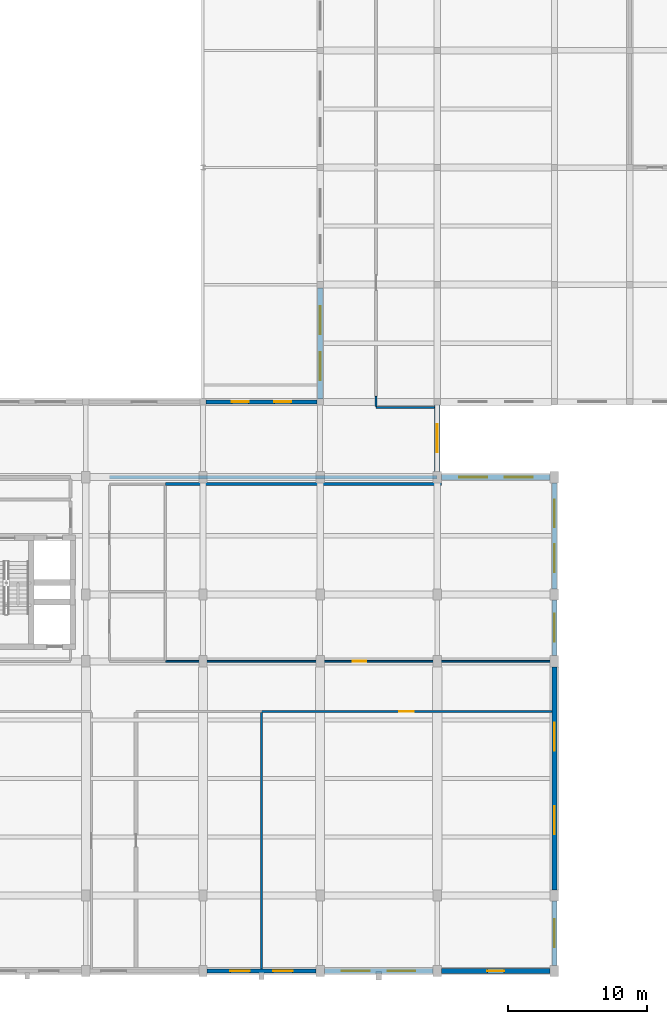
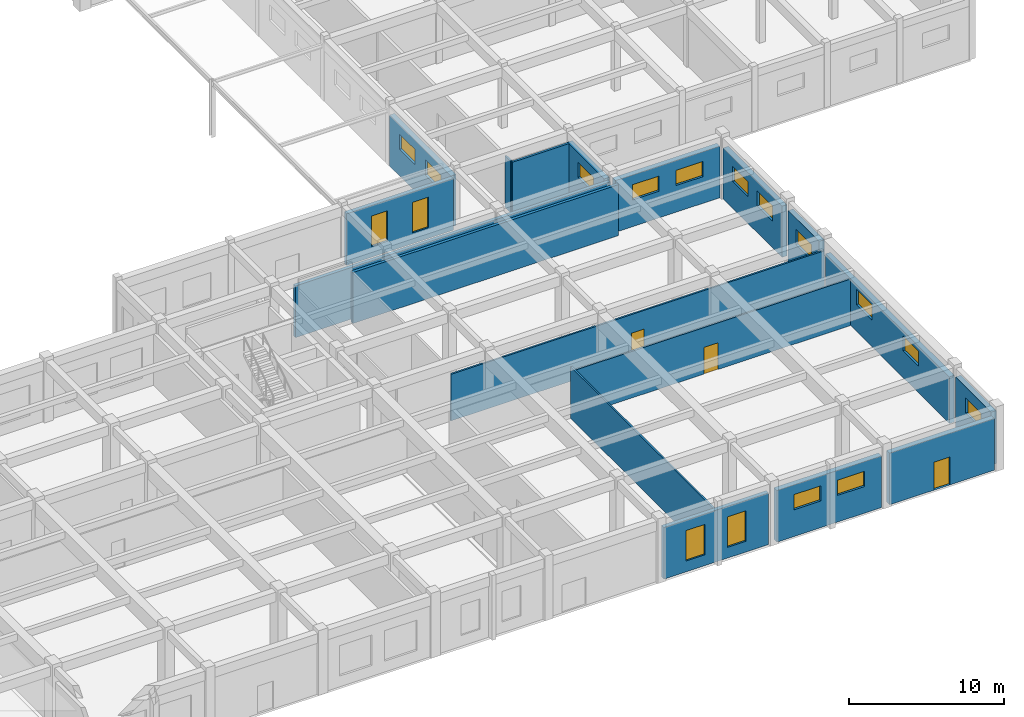
# One storey, part 65 of 80: 18 walls, 17 windows, 3 doors, 20 openings.
"""IFC4 building model written with IfcOpenShell, lengths in metres."""

from ifc_helpers import new_model, si_unit, direction, frame, frame_2d, origin, place, context, subcontext, project, spatial, rectangle, extrude, material, layer, layer_set, type_object, element, fill, save


model = new_model("IFC4")

# Units and contexts
model_context = context("Model", 3, precision=1e-05, world=origin(), true_north=direction((0.0, 1.0)))
body_context = subcontext(model_context, "Body", "Model", "MODEL_VIEW")
ifc_project = project(units=[si_unit("LENGTHUNIT", "METRE"), si_unit("AREAUNIT", "SQUARE_METRE"), si_unit("VOLUMEUNIT", "CUBIC_METRE"), si_unit("PLANEANGLEUNIT", "RADIAN"), si_unit("MASSUNIT", "GRAM", prefix="KILO")], contexts=[model_context])

# Site, building, storey
site_placement = place(None, origin())
site = spatial("IfcSite", under=ifc_project, at=site_placement, CompositionType="ELEMENT")
building_placement = place(site_placement, origin())
building = spatial("IfcBuilding", under=site, at=building_placement, Name="Krzemoval Escarpment Law Courts", CompositionType="ELEMENT")
storey_placement = place(building_placement, origin())
storey = spatial("IfcBuildingStorey", under=building, at=storey_placement, Name="L00", CompositionType="ELEMENT", Elevation=0.0)

# Wall, openings, windows
ifc_material_1 = material(Name="Precast concrete C40/50", Category="concrete")
ifc_layer_1 = layer(ifc_material_1, 0.300048828125)
ifc_layer_set_1 = layer_set([ifc_layer_1], Name="Precast concrete C40/50")
wall_type_1 = type_object("IfcWallType", Name="WL-EXT-300", PredefinedType="SOLIDWALL", material=ifc_layer_set_1)
wall_1_placement = place(storey_placement, frame((134.10009765625, 0.0, 0.0), z_axis=(0.0, 0.0, 1.0), x_axis=(-1.0, 0.0, 0.0)))
wall_1 = element("IfcWall", 1, at=wall_1_placement, inside=storey, type_object=wall_type_1, Name="Exterior Wall EW-L00-0131", PredefinedType="SOLIDWALL", context=body_context, shape_type="SweptSolid", body=[
    extrude(rectangle(XDim=7.800048828125, YDim=0.300048828125, at=frame_2d((3.89990234375, 0.0))), origin(), (0.0, 0.0, 1.0), 4.070068359375),
])
opening_1_placement = place(wall_1_placement, frame((1.6669921875, 0.0, 0.85009765625)))
opening_1 = element("IfcOpeningElement", 2, at=opening_1_placement, cuts=wall_1, Name="Opening WN-L00-0084", PredefinedType="OPENING", context=body_context, shape_type="SweptSolid", body=[
    extrude(rectangle(XDim=1.39990234375, YDim=2.39990234375, at=frame_2d((0.699951171875, 1.199951171875))), frame((0.0, 0.16502, 0.0), z_axis=(0.0, -1.0, 0.0), x_axis=(1.0, 0.0, 0.0)), (0.0, 0.0, 1.0), 0.33005),
])
opening_2_placement = place(wall_1_placement, frame((4.73291015625, 0.0, 0.85009765625)))
opening_2 = element("IfcOpeningElement", 3, at=opening_2_placement, cuts=wall_1, Name="Opening WN-L00-0085", PredefinedType="OPENING", context=body_context, shape_type="SweptSolid", body=[
    extrude(rectangle(XDim=1.39990234375, YDim=2.39990234375, at=frame_2d((0.699951171875, 1.199951171875))), frame((0.0, 0.16502, 0.0), z_axis=(0.0, -1.0, 0.0), x_axis=(1.0, 0.0, 0.0)), (0.0, 0.0, 1.0), 0.33005),
])
ifc_material_2 = material(Name="Thermally Broken Aluminium Frame with Triple Low-E Acoustic Glass", Category="aluminium")
window_type_1 = type_object("IfcWindowType", Name="WN-1400x2400", PartitioningType="SINGLE_PANEL", PredefinedType="WINDOW", material=ifc_material_2)
window_1_placement = place(opening_1_placement, origin())
window_1 = element("IfcWindow", 4, at=window_1_placement, inside=storey, type_object=window_type_1, Name="Facade Window WN-L00-0084", OverallHeight=2.39990234375, OverallWidth=1.39990234375, PartitioningType="SINGLE_PANEL", PredefinedType="WINDOW", context=body_context, shape_type="SweptSolid", body=[
    extrude(rectangle(XDim=1.39990234375, YDim=2.39990234375, at=frame_2d((0.699951171875, 1.199951171875))), frame((0.0, 0.030029296875, 0.0), z_axis=(0.0, -1.0, 0.0), x_axis=(1.0, 0.0, 0.0)), (0.0, 0.0, 1.0), 0.06005859375),
])
fill(opening_1, window_1)
window_2_placement = place(opening_2_placement, origin())
window_2 = element("IfcWindow", 5, at=window_2_placement, inside=storey, type_object=window_type_1, Name="Facade Window WN-L00-0085", OverallHeight=2.39990234375, OverallWidth=1.39990234375, PartitioningType="SINGLE_PANEL", PredefinedType="WINDOW", context=body_context, shape_type="SweptSolid", body=[
    extrude(rectangle(XDim=1.39990234375, YDim=2.39990234375, at=frame_2d((0.699951171875, 1.199951171875))), frame((0.0, 0.030029296875, 0.0), z_axis=(0.0, -1.0, 0.0), x_axis=(1.0, 0.0, 0.0)), (0.0, 0.0, 1.0), 0.06005859375),
])
fill(opening_2, window_2)

wall_2_placement = place(storey_placement, frame((126.22509765625, 40.800048828125, 0.0), z_axis=(0.0, 0.0, 1.0), x_axis=(1.0, 0.0, 0.0)))
wall_2 = element("IfcWall", 6, at=wall_2_placement, inside=storey, type_object=wall_type_1, Name="Exterior Wall EW-L00-0155", PredefinedType="SOLIDWALL", context=body_context, shape_type="SweptSolid", body=[
    extrude(rectangle(XDim=7.949951171875, YDim=0.300048828125, at=frame_2d((3.97509765625, 0.0))), origin(), (0.0, 0.0, 1.0), 4.070068359375),
])
opening_3_placement = place(wall_2_placement, frame((1.85009765625, 0.0, 0.85009765625)))
opening_3 = element("IfcOpeningElement", 7, at=opening_3_placement, cuts=wall_2, Name="Opening WN-L00-0114", PredefinedType="OPENING", context=body_context, shape_type="SweptSolid", body=[
    extrude(rectangle(XDim=1.199951171875, YDim=2.39990234375, at=frame_2d((0.60009765625, 1.199951171875))), frame((0.0, 0.16502, 0.0), z_axis=(0.0, -1.0, 0.0), x_axis=(1.0, 0.0, 0.0)), (0.0, 0.0, 1.0), 0.33005),
])
opening_4_placement = place(wall_2_placement, frame((4.89990234375, 0.0, 0.85009765625)))
opening_4 = element("IfcOpeningElement", 8, at=opening_4_placement, cuts=wall_2, Name="Opening WN-L00-0115", PredefinedType="OPENING", context=body_context, shape_type="SweptSolid", body=[
    extrude(rectangle(XDim=1.199951171875, YDim=2.39990234375, at=frame_2d((0.60009765625, 1.199951171875))), frame((0.0, 0.16502, 0.0), z_axis=(0.0, -1.0, 0.0), x_axis=(1.0, 0.0, 0.0)), (0.0, 0.0, 1.0), 0.33005),
])
ifc_material_3 = material(Name="Thermally Broken Aluminium Frame with Triple Low-E Acoustic Glass", Category="aluminium")
window_type_2 = type_object("IfcWindowType", Name="WN-1200x2400", PartitioningType="SINGLE_PANEL", PredefinedType="WINDOW", material=ifc_material_3)
window_3_placement = place(opening_3_placement, origin())
window_3 = element("IfcWindow", 9, at=window_3_placement, inside=storey, type_object=window_type_2, Name="Facade Window WN-L00-0114", OverallHeight=2.39990234375, OverallWidth=1.199951171875, PartitioningType="SINGLE_PANEL", PredefinedType="WINDOW", context=body_context, shape_type="SweptSolid", body=[
    extrude(rectangle(XDim=1.199951171875, YDim=2.39990234375, at=frame_2d((0.60009765625, 1.199951171875))), frame((0.0, 0.030029296875, 0.0), z_axis=(0.0, -1.0, 0.0), x_axis=(1.0, 0.0, 0.0)), (0.0, 0.0, 1.0), 0.06005859375),
])
fill(opening_3, window_3)
window_4_placement = place(opening_4_placement, origin())
window_4 = element("IfcWindow", 10, at=window_4_placement, inside=storey, type_object=window_type_2, Name="Facade Window WN-L00-0115", OverallHeight=2.39990234375, OverallWidth=1.199951171875, PartitioningType="SINGLE_PANEL", PredefinedType="WINDOW", context=body_context, shape_type="SweptSolid", body=[
    extrude(rectangle(XDim=1.199951171875, YDim=2.39990234375, at=frame_2d((0.60009765625, 1.199951171875))), frame((0.0, 0.030029296875, 0.0), z_axis=(0.0, -1.0, 0.0), x_axis=(1.0, 0.0, 0.0)), (0.0, 0.0, 1.0), 0.06005859375),
])
fill(opening_4, window_4)

# Wall, opening, window
ifc_material_4 = material(Name="Concrete C40/50", Category="concrete")
ifc_layer_2 = layer(ifc_material_4, 0.3798828125)
ifc_layer_set_2 = layer_set([ifc_layer_2], Name="Concrete C40/50")
wall_type_2 = type_object("IfcWallType", Name="WL-EXT-380", PredefinedType="SOLIDWALL", material=ifc_layer_set_2)
wall_3_placement = place(storey_placement, frame((142.800048828125, 40.574951171875, 0.0), z_axis=(0.0, 0.0, 1.0), x_axis=(0.0, -1.0, 0.0)))
wall_3 = element("IfcWall", 11, at=wall_3_placement, inside=storey, type_object=wall_type_2, Name="Exterior Wall EW-L00-0123", PredefinedType="SOLIDWALL", context=body_context, shape_type="SweptSolid", body=[
    extrude(rectangle(XDim=4.77490234375, YDim=0.3798828125, at=frame_2d((2.387451171875, 0.0))), origin(), (0.0, 0.0, 1.0), 4.02001953125),
])
opening_5_placement = place(wall_3_placement, frame((1.387939453125, 0.0, 2.10009765625)))
opening_5 = element("IfcOpeningElement", 12, at=opening_5_placement, cuts=wall_3, Name="Opening WN-L00-0073", PredefinedType="OPENING", context=body_context, shape_type="SweptSolid", body=[
    extrude(rectangle(XDim=2.0, YDim=1.199951171875, at=frame_2d((1.0, 0.60009765625))), frame((0.0, 0.20494, 0.0), z_axis=(0.0, -1.0, 0.0), x_axis=(1.0, 0.0, 0.0)), (0.0, 0.0, 1.0), 0.40988),
])
ifc_material_5 = material(Name="Thermally Broken Aluminium Frame with Triple Low-E Acoustic Glass", Category="aluminium")
window_type_3 = type_object("IfcWindowType", Name="WN-2000x1200", PartitioningType="SINGLE_PANEL", PredefinedType="WINDOW", material=ifc_material_5)
window_5_placement = place(opening_5_placement, origin())
window_5 = element("IfcWindow", 13, at=window_5_placement, inside=storey, type_object=window_type_3, Name="Facade Window WN-L00-0073", OverallHeight=1.199951171875, OverallWidth=2.0, PartitioningType="SINGLE_PANEL", PredefinedType="WINDOW", context=body_context, shape_type="SweptSolid", body=[
    extrude(rectangle(XDim=2.0, YDim=1.199951171875, at=frame_2d((1.0, 0.60009765625))), frame((0.0, 0.030029296875, 0.0), z_axis=(0.0, -1.0, 0.0), x_axis=(1.0, 0.0, 0.0)), (0.0, 0.0, 1.0), 0.06005859375),
])
fill(opening_5, window_5)

# Wall, openings, windows
wall_4_placement = place(storey_placement, frame((143.10009765625, 35.39990234375, 0.0), z_axis=(0.0, 0.0, 1.0), x_axis=(1.0, 0.0, 0.0)))
wall_4 = element("IfcWall", 14, at=wall_4_placement, inside=storey, type_object=wall_type_2, Name="Exterior Wall EW-L00-0124", PredefinedType="SOLIDWALL", context=body_context, shape_type="SweptSolid", body=[
    extrude(rectangle(XDim=7.7998046875, YDim=0.3798828125, at=frame_2d((3.89990234375, 0.0))), origin(), (0.0, 0.0, 1.0), 4.070068359375),
])
opening_6_placement = place(wall_4_placement, frame((1.26708984375, 0.0, 2.10009765625)))
opening_6 = element("IfcOpeningElement", 15, at=opening_6_placement, cuts=wall_4, Name="Opening WN-L00-0074", PredefinedType="OPENING", context=body_context, shape_type="SweptSolid", body=[
    extrude(rectangle(XDim=2.0, YDim=1.199951171875, at=frame_2d((1.0, 0.60009765625))), frame((0.0, 0.20494, 0.0), z_axis=(0.0, -1.0, 0.0), x_axis=(1.0, 0.0, 0.0)), (0.0, 0.0, 1.0), 0.40988),
])
opening_7_placement = place(wall_4_placement, frame((4.532958984375, 0.0, 2.10009765625)))
opening_7 = element("IfcOpeningElement", 16, at=opening_7_placement, cuts=wall_4, Name="Opening WN-L00-0075", PredefinedType="OPENING", context=body_context, shape_type="SweptSolid", body=[
    extrude(rectangle(XDim=2.0, YDim=1.199951171875, at=frame_2d((1.0, 0.60009765625))), frame((0.0, 0.20494, 0.0), z_axis=(0.0, -1.0, 0.0), x_axis=(1.0, 0.0, 0.0)), (0.0, 0.0, 1.0), 0.40988),
])
window_6_placement = place(opening_6_placement, origin())
window_6 = element("IfcWindow", 17, at=window_6_placement, inside=storey, type_object=window_type_3, Name="Facade Window WN-L00-0074", OverallHeight=1.199951171875, OverallWidth=2.0, PartitioningType="SINGLE_PANEL", PredefinedType="WINDOW", context=body_context, shape_type="SweptSolid", body=[
    extrude(rectangle(XDim=2.0, YDim=1.199951171875, at=frame_2d((1.0, 0.60009765625))), frame((0.0, 0.030029296875, 0.0), z_axis=(0.0, -1.0, 0.0), x_axis=(1.0, 0.0, 0.0)), (0.0, 0.0, 1.0), 0.06005859375),
])
fill(opening_6, window_6)
window_7_placement = place(opening_7_placement, origin())
window_7 = element("IfcWindow", 18, at=window_7_placement, inside=storey, type_object=window_type_3, Name="Facade Window WN-L00-0075", OverallHeight=1.199951171875, OverallWidth=2.0, PartitioningType="SINGLE_PANEL", PredefinedType="WINDOW", context=body_context, shape_type="SweptSolid", body=[
    extrude(rectangle(XDim=2.0, YDim=1.199951171875, at=frame_2d((1.0, 0.60009765625))), frame((0.0, 0.030029296875, 0.0), z_axis=(0.0, -1.0, 0.0), x_axis=(1.0, 0.0, 0.0)), (0.0, 0.0, 1.0), 0.06005859375),
])
fill(opening_7, window_7)

wall_5_placement = place(storey_placement, frame((151.199951171875, 35.0, 0.0), z_axis=(0.0, 0.0, 1.0), x_axis=(0.0, -1.0, 0.0)))
wall_5 = element("IfcWall", 19, at=wall_5_placement, inside=storey, type_object=wall_type_2, Name="Exterior Wall EW-L00-0125", PredefinedType="SOLIDWALL", context=body_context, shape_type="SweptSolid", body=[
    extrude(rectangle(XDim=7.60009765625, YDim=0.3798828125, at=frame_2d((3.800048828125, 0.0))), origin(), (0.0, 0.0, 1.0), 4.02001953125),
])
opening_8_placement = place(wall_5_placement, frame((1.199951171875, 0.0, 2.10009765625)))
opening_8 = element("IfcOpeningElement", 20, at=opening_8_placement, cuts=wall_5, Name="Opening WN-L00-0076", PredefinedType="OPENING", context=body_context, shape_type="SweptSolid", body=[
    extrude(rectangle(XDim=2.0, YDim=1.199951171875, at=frame_2d((1.0, 0.60009765625))), frame((0.0, 0.20494, 0.0), z_axis=(0.0, -1.0, 0.0), x_axis=(1.0, 0.0, 0.0)), (0.0, 0.0, 1.0), 0.40988),
])
opening_9_placement = place(wall_5_placement, frame((4.39990234375, 0.0, 2.10009765625)))
opening_9 = element("IfcOpeningElement", 21, at=opening_9_placement, cuts=wall_5, Name="Opening WN-L00-0077", PredefinedType="OPENING", context=body_context, shape_type="SweptSolid", body=[
    extrude(rectangle(XDim=2.0, YDim=1.199951171875, at=frame_2d((1.0, 0.60009765625))), frame((0.0, 0.20494, 0.0), z_axis=(0.0, -1.0, 0.0), x_axis=(1.0, 0.0, 0.0)), (0.0, 0.0, 1.0), 0.40988),
])
window_8_placement = place(opening_8_placement, origin())
window_8 = element("IfcWindow", 22, at=window_8_placement, inside=storey, type_object=window_type_3, Name="Facade Window WN-L00-0076", OverallHeight=1.199951171875, OverallWidth=2.0, PartitioningType="SINGLE_PANEL", PredefinedType="WINDOW", context=body_context, shape_type="SweptSolid", body=[
    extrude(rectangle(XDim=2.0, YDim=1.199951171875, at=frame_2d((1.0, 0.60009765625))), frame((0.0, 0.030029296875, 0.0), z_axis=(0.0, -1.0, 0.0), x_axis=(1.0, 0.0, 0.0)), (0.0, 0.0, 1.0), 0.06005859375),
])
fill(opening_8, window_8)
window_9_placement = place(opening_9_placement, origin())
window_9 = element("IfcWindow", 23, at=window_9_placement, inside=storey, type_object=window_type_3, Name="Facade Window WN-L00-0077", OverallHeight=1.199951171875, OverallWidth=2.0, PartitioningType="SINGLE_PANEL", PredefinedType="WINDOW", context=body_context, shape_type="SweptSolid", body=[
    extrude(rectangle(XDim=2.0, YDim=1.199951171875, at=frame_2d((1.0, 0.60009765625))), frame((0.0, 0.030029296875, 0.0), z_axis=(0.0, -1.0, 0.0), x_axis=(1.0, 0.0, 0.0)), (0.0, 0.0, 1.0), 0.06005859375),
])
fill(opening_9, window_9)

# Wall, opening, window
wall_6_placement = place(storey_placement, frame((151.199951171875, 26.60009765625, 0.0), z_axis=(0.0, 0.0, 1.0), x_axis=(0.0, -1.0, 0.0)))
wall_6 = element("IfcWall", 24, at=wall_6_placement, inside=storey, type_object=wall_type_2, Name="Exterior Wall EW-L00-0126", PredefinedType="SOLIDWALL", context=body_context, shape_type="SweptSolid", body=[
    extrude(rectangle(XDim=4.0, YDim=0.3798828125, at=frame_2d((2.0, 0.0))), origin(), (0.0, 0.0, 1.0), 4.169921875),
])
opening_10_placement = place(wall_6_placement, frame((1.0, 0.0, 2.10009765625)))
opening_10 = element("IfcOpeningElement", 25, at=opening_10_placement, cuts=wall_6, Name="Opening WN-L00-0078", PredefinedType="OPENING", context=body_context, shape_type="SweptSolid", body=[
    extrude(rectangle(XDim=2.0, YDim=1.199951171875, at=frame_2d((1.0, 0.60009765625))), frame((0.0, 0.20494, 0.0), z_axis=(0.0, -1.0, 0.0), x_axis=(1.0, 0.0, 0.0)), (0.0, 0.0, 1.0), 0.40988),
])
window_10_placement = place(opening_10_placement, origin())
window_10 = element("IfcWindow", 26, at=window_10_placement, inside=storey, type_object=window_type_3, Name="Facade Window WN-L00-0078", OverallHeight=1.199951171875, OverallWidth=2.0, PartitioningType="SINGLE_PANEL", PredefinedType="WINDOW", context=body_context, shape_type="SweptSolid", body=[
    extrude(rectangle(XDim=2.0, YDim=1.199951171875, at=frame_2d((1.0, 0.60009765625))), frame((0.0, 0.030029296875, 0.0), z_axis=(0.0, -1.0, 0.0), x_axis=(1.0, 0.0, 0.0)), (0.0, 0.0, 1.0), 0.06005859375),
])
fill(opening_10, window_10)

# Wall, openings, windows
wall_7_placement = place(storey_placement, frame((151.199951171875, 21.800048828125, 0.0), z_axis=(0.0, 0.0, 1.0), x_axis=(0.0, -1.0, 0.0)))
wall_7 = element("IfcWall", 27, at=wall_7_placement, inside=storey, type_object=wall_type_2, Name="Exterior Wall EW-L00-0127", PredefinedType="SOLIDWALL", context=body_context, shape_type="SweptSolid", body=[
    extrude(rectangle(XDim=16.0, YDim=0.3798828125, at=frame_2d((8.0, 0.0))), origin(), (0.0, 0.0, 1.0), 3.669921875),
])
opening_11_placement = place(wall_7_placement, frame((4.0, 0.0, 2.10009765625)))
opening_11 = element("IfcOpeningElement", 28, at=opening_11_placement, cuts=wall_7, Name="Opening WN-L00-0079", PredefinedType="OPENING", context=body_context, shape_type="SweptSolid", body=[
    extrude(rectangle(XDim=2.0, YDim=1.199951171875, at=frame_2d((1.0, 0.60009765625))), frame((0.0, 0.20494, 0.0), z_axis=(0.0, -1.0, 0.0), x_axis=(1.0, 0.0, 0.0)), (0.0, 0.0, 1.0), 0.40988),
])
opening_12_placement = place(wall_7_placement, frame((10.0, 0.0, 2.10009765625)))
opening_12 = element("IfcOpeningElement", 29, at=opening_12_placement, cuts=wall_7, Name="Opening WN-L00-0080", PredefinedType="OPENING", context=body_context, shape_type="SweptSolid", body=[
    extrude(rectangle(XDim=2.0, YDim=1.199951171875, at=frame_2d((1.0, 0.60009765625))), frame((0.0, 0.20494, 0.0), z_axis=(0.0, -1.0, 0.0), x_axis=(1.0, 0.0, 0.0)), (0.0, 0.0, 1.0), 0.40988),
])
window_11_placement = place(opening_11_placement, origin())
window_11 = element("IfcWindow", 30, at=window_11_placement, inside=storey, type_object=window_type_3, Name="Facade Window WN-L00-0079", OverallHeight=1.199951171875, OverallWidth=2.0, PartitioningType="SINGLE_PANEL", PredefinedType="WINDOW", context=body_context, shape_type="SweptSolid", body=[
    extrude(rectangle(XDim=2.0, YDim=1.199951171875, at=frame_2d((1.0, 0.60009765625))), frame((0.0, 0.030029296875, 0.0), z_axis=(0.0, -1.0, 0.0), x_axis=(1.0, 0.0, 0.0)), (0.0, 0.0, 1.0), 0.06005859375),
])
fill(opening_11, window_11)
window_12_placement = place(opening_12_placement, origin())
window_12 = element("IfcWindow", 31, at=window_12_placement, inside=storey, type_object=window_type_3, Name="Facade Window WN-L00-0080", OverallHeight=1.199951171875, OverallWidth=2.0, PartitioningType="SINGLE_PANEL", PredefinedType="WINDOW", context=body_context, shape_type="SweptSolid", body=[
    extrude(rectangle(XDim=2.0, YDim=1.199951171875, at=frame_2d((1.0, 0.60009765625))), frame((0.0, 0.030029296875, 0.0), z_axis=(0.0, -1.0, 0.0), x_axis=(1.0, 0.0, 0.0)), (0.0, 0.0, 1.0), 0.06005859375),
])
fill(opening_12, window_12)

# Wall, opening, window
wall_8_placement = place(storey_placement, frame((151.199951171875, 5.0, 0.0), z_axis=(0.0, 0.0, 1.0), x_axis=(0.0, -1.0, 0.0)))
wall_8 = element("IfcWall", 32, at=wall_8_placement, inside=storey, type_object=wall_type_2, Name="Exterior Wall EW-L00-0128", PredefinedType="SOLIDWALL", context=body_context, shape_type="SweptSolid", body=[
    extrude(rectangle(XDim=4.60009765625, YDim=0.3798828125, at=frame_2d((2.300048828125, 0.0))), origin(), (0.0, 0.0, 1.0), 4.169921875),
])
opening_13_placement = place(wall_8_placement, frame((1.300048828125, 0.0, 2.10009765625)))
opening_13 = element("IfcOpeningElement", 33, at=opening_13_placement, cuts=wall_8, Name="Opening WN-L00-0081", PredefinedType="OPENING", context=body_context, shape_type="SweptSolid", body=[
    extrude(rectangle(XDim=2.0, YDim=1.199951171875, at=frame_2d((1.0, 0.60009765625))), frame((0.0, 0.20494, 0.0), z_axis=(0.0, -1.0, 0.0), x_axis=(1.0, 0.0, 0.0)), (0.0, 0.0, 1.0), 0.40988),
])
window_13_placement = place(opening_13_placement, origin())
window_13 = element("IfcWindow", 34, at=window_13_placement, inside=storey, type_object=window_type_3, Name="Facade Window WN-L00-0081", OverallHeight=1.199951171875, OverallWidth=2.0, PartitioningType="SINGLE_PANEL", PredefinedType="WINDOW", context=body_context, shape_type="SweptSolid", body=[
    extrude(rectangle(XDim=2.0, YDim=1.199951171875, at=frame_2d((1.0, 0.60009765625))), frame((0.0, 0.030029296875, 0.0), z_axis=(0.0, -1.0, 0.0), x_axis=(1.0, 0.0, 0.0)), (0.0, 0.0, 1.0), 0.06005859375),
])
fill(opening_13, window_13)

# Wall, opening, door
wall_9_placement = place(storey_placement, frame((150.89990234375, 0.0, 0.0), z_axis=(0.0, 0.0, 1.0), x_axis=(-1.0, 0.0, 0.0)))
wall_9 = element("IfcWall", 35, at=wall_9_placement, inside=storey, type_object=wall_type_2, Name="Exterior Wall EW-L00-0129", PredefinedType="SOLIDWALL", context=body_context, shape_type="SweptSolid", body=[
    extrude(rectangle(XDim=7.7998046875, YDim=0.3798828125, at=frame_2d((3.89990234375, 0.0))), origin(), (0.0, 0.0, 1.0), 4.070068359375),
])
opening_14_placement = place(wall_9_placement, frame((3.300048828125, 0.0, 0.0)))
opening_14 = element("IfcOpeningElement", 36, at=opening_14_placement, cuts=wall_9, Name="Opening ED-L00-13", PredefinedType="OPENING", context=body_context, shape_type="SweptSolid", body=[
    extrude(rectangle(XDim=1.199951171875, YDim=2.199951171875, at=frame_2d((0.60009765625, 1.10009765625))), frame((0.0, 0.20494, 0.0), z_axis=(0.0, -1.0, 0.0), x_axis=(1.0, 0.0, 0.0)), (0.0, 0.0, 1.0), 0.40988),
])
ifc_material_6 = material(Name="Galvanised Steel S355", Category="steel")
door_type_1 = type_object("IfcDoorType", Name="DR-EXT-1200x2200", OperationType="SINGLE_SWING_LEFT", PredefinedType="DOOR", material=ifc_material_6)
door_1_placement = place(opening_14_placement, origin())
door_1 = element("IfcDoor", 37, at=door_1_placement, inside=storey, type_object=door_type_1, Name="Ground Entrance Door ED-L00-13", OperationType="SINGLE_SWING_LEFT", OverallHeight=2.199951171875, OverallWidth=1.199951171875, PredefinedType="DOOR", context=body_context, shape_type="SweptSolid", body=[
    extrude(rectangle(XDim=1.199951171875, YDim=2.199951171875, at=frame_2d((0.60009765625, 1.10009765625))), frame((0.0, 0.02490234375, 0.0), z_axis=(0.0, -1.0, 0.0), x_axis=(1.0, 0.0, 0.0)), (0.0, 0.0, 1.0), 0.050048828125),
])
fill(opening_14, door_1)

# Wall, openings, windows
wall_10_placement = place(storey_placement, frame((142.5, 0.0, 0.0), z_axis=(0.0, 0.0, 1.0), x_axis=(-1.0, 0.0, 0.0)))
wall_10 = element("IfcWall", 38, at=wall_10_placement, inside=storey, type_object=wall_type_2, Name="Exterior Wall EW-L00-0130", PredefinedType="SOLIDWALL", context=body_context, shape_type="SweptSolid", body=[
    extrude(rectangle(XDim=7.800048828125, YDim=0.3798828125, at=frame_2d((3.89990234375, 0.0))), origin(), (0.0, 0.0, 1.0), 4.070068359375),
])
opening_15_placement = place(wall_10_placement, frame((1.26708984375, 0.0, 2.10009765625)))
opening_15 = element("IfcOpeningElement", 39, at=opening_15_placement, cuts=wall_10, Name="Opening WN-L00-0082", PredefinedType="OPENING", context=body_context, shape_type="SweptSolid", body=[
    extrude(rectangle(XDim=2.0, YDim=1.199951171875, at=frame_2d((1.0, 0.60009765625))), frame((0.0, 0.20494, 0.0), z_axis=(0.0, -1.0, 0.0), x_axis=(1.0, 0.0, 0.0)), (0.0, 0.0, 1.0), 0.40988),
])
opening_16_placement = place(wall_10_placement, frame((4.532958984375, 0.0, 2.10009765625)))
opening_16 = element("IfcOpeningElement", 40, at=opening_16_placement, cuts=wall_10, Name="Opening WN-L00-0083", PredefinedType="OPENING", context=body_context, shape_type="SweptSolid", body=[
    extrude(rectangle(XDim=2.0, YDim=1.199951171875, at=frame_2d((1.0, 0.60009765625))), frame((0.0, 0.20494, 0.0), z_axis=(0.0, -1.0, 0.0), x_axis=(1.0, 0.0, 0.0)), (0.0, 0.0, 1.0), 0.40988),
])
window_14_placement = place(opening_15_placement, origin())
window_14 = element("IfcWindow", 41, at=window_14_placement, inside=storey, type_object=window_type_3, Name="Facade Window WN-L00-0082", OverallHeight=1.199951171875, OverallWidth=2.0, PartitioningType="SINGLE_PANEL", PredefinedType="WINDOW", context=body_context, shape_type="SweptSolid", body=[
    extrude(rectangle(XDim=2.0, YDim=1.199951171875, at=frame_2d((1.0, 0.60009765625))), frame((0.0, 0.030029296875, 0.0), z_axis=(0.0, -1.0, 0.0), x_axis=(1.0, 0.0, 0.0)), (0.0, 0.0, 1.0), 0.06005859375),
])
fill(opening_15, window_14)
window_15_placement = place(opening_16_placement, origin())
window_15 = element("IfcWindow", 42, at=window_15_placement, inside=storey, type_object=window_type_3, Name="Facade Window WN-L00-0083", OverallHeight=1.199951171875, OverallWidth=2.0, PartitioningType="SINGLE_PANEL", PredefinedType="WINDOW", context=body_context, shape_type="SweptSolid", body=[
    extrude(rectangle(XDim=2.0, YDim=1.199951171875, at=frame_2d((1.0, 0.60009765625))), frame((0.0, 0.030029296875, 0.0), z_axis=(0.0, -1.0, 0.0), x_axis=(1.0, 0.0, 0.0)), (0.0, 0.0, 1.0), 0.06005859375),
])
fill(opening_16, window_15)

wall_11_placement = place(storey_placement, frame((134.39990234375, 41.02490234375, 0.0), z_axis=(0.0, 0.0, 1.0), x_axis=(0.0, 1.0, 0.0)))
wall_11 = element("IfcWall", 43, at=wall_11_placement, inside=storey, type_object=wall_type_2, Name="Exterior Wall EW-L00-0156", PredefinedType="SOLIDWALL", context=body_context, shape_type="SweptSolid", body=[
    extrude(rectangle(XDim=7.9501953125, YDim=0.3798828125, at=frame_2d((3.97509765625, 0.0))), origin(), (0.0, 0.0, 1.0), 4.02001953125),
])
opening_17_placement = place(wall_11_placement, frame((1.31689453125, 0.0, 2.10009765625)))
opening_17 = element("IfcOpeningElement", 44, at=opening_17_placement, cuts=wall_11, Name="Opening WN-L00-0116", PredefinedType="OPENING", context=body_context, shape_type="SweptSolid", body=[
    extrude(rectangle(XDim=2.0, YDim=1.199951171875, at=frame_2d((1.0, 0.60009765625))), frame((0.0, 0.20494, 0.0), z_axis=(0.0, -1.0, 0.0), x_axis=(1.0, 0.0, 0.0)), (0.0, 0.0, 1.0), 0.40988),
])
opening_18_placement = place(wall_11_placement, frame((4.633056640625, 0.0, 2.10009765625)))
opening_18 = element("IfcOpeningElement", 45, at=opening_18_placement, cuts=wall_11, Name="Opening WN-L00-0117", PredefinedType="OPENING", context=body_context, shape_type="SweptSolid", body=[
    extrude(rectangle(XDim=2.0, YDim=1.199951171875, at=frame_2d((1.0, 0.60009765625))), frame((0.0, 0.20494, 0.0), z_axis=(0.0, -1.0, 0.0), x_axis=(1.0, 0.0, 0.0)), (0.0, 0.0, 1.0), 0.40988),
])
window_16_placement = place(opening_17_placement, origin())
window_16 = element("IfcWindow", 46, at=window_16_placement, inside=storey, type_object=window_type_3, Name="Facade Window WN-L00-0116", OverallHeight=1.199951171875, OverallWidth=2.0, PartitioningType="SINGLE_PANEL", PredefinedType="WINDOW", context=body_context, shape_type="SweptSolid", body=[
    extrude(rectangle(XDim=2.0, YDim=1.199951171875, at=frame_2d((1.0, 0.60009765625))), frame((0.0, 0.030029296875, 0.0), z_axis=(0.0, -1.0, 0.0), x_axis=(1.0, 0.0, 0.0)), (0.0, 0.0, 1.0), 0.06005859375),
])
fill(opening_17, window_16)
window_17_placement = place(opening_18_placement, origin())
window_17 = element("IfcWindow", 47, at=window_17_placement, inside=storey, type_object=window_type_3, Name="Facade Window WN-L00-0117", OverallHeight=1.199951171875, OverallWidth=2.0, PartitioningType="SINGLE_PANEL", PredefinedType="WINDOW", context=body_context, shape_type="SweptSolid", body=[
    extrude(rectangle(XDim=2.0, YDim=1.199951171875, at=frame_2d((1.0, 0.60009765625))), frame((0.0, 0.030029296875, 0.0), z_axis=(0.0, -1.0, 0.0), x_axis=(1.0, 0.0, 0.0)), (0.0, 0.0, 1.0), 0.06005859375),
])
fill(opening_18, window_17)

# Wall, opening, door
ifc_material_7 = material(Name="Standard Metal-Stud Gypsum Partition", Category="gypsum")
ifc_layer_3 = layer(ifc_material_7, 0.125)
ifc_layer_set_3 = layer_set([ifc_layer_3], Name="Standard Metal-Stud Gypsum Partition")
wall_type_3 = type_object("IfcWallType", Name="WL-PRT-125", PredefinedType="PARTITIONING", material=ifc_layer_set_3)
wall_12_placement = place(storey_placement, frame((130.199951171875, 18.60009765625, 0.0), z_axis=(0.0, 0.0, 1.0), x_axis=(1.0, 0.0, 0.0)))
wall_12 = element("IfcWall", 48, at=wall_12_placement, inside=storey, type_object=wall_type_3, Name="Interior Partition PW-L00-0090", PredefinedType="PARTITIONING", context=body_context, shape_type="SweptSolid", body=[
    extrude(rectangle(XDim=20.80810546875, YDim=0.125, at=frame_2d((10.404052734375, 0.0))), origin(), (0.0, 0.0, 1.0), 3.669921875),
])
opening_19_placement = place(wall_12_placement, frame((9.87890625, 0.0, 0.0)))
opening_19 = element("IfcOpeningElement", 49, at=opening_19_placement, cuts=wall_12, Name="Opening D-L00-0056", PredefinedType="OPENING", context=body_context, shape_type="SweptSolid", body=[
    extrude(rectangle(XDim=1.050048828125, YDim=2.10009765625, at=frame_2d((0.52490234375, 1.050048828125))), frame((0.0, 0.0775, 0.0), z_axis=(0.0, -1.0, 0.0), x_axis=(1.0, 0.0, 0.0)), (0.0, 0.0, 1.0), 0.155),
])
ifc_material_8 = material(Name="Engineered Solid-Core Oak Acoustic Timber", Category="wood")
door_type_2 = type_object("IfcDoorType", Name="DR-INT-1050x2100", OperationType="SINGLE_SWING_LEFT", PredefinedType="DOOR", material=ifc_material_8)
door_2_placement = place(opening_19_placement, origin())
door_2 = element("IfcDoor", 50, at=door_2_placement, inside=storey, type_object=door_type_2, Name="Room Door D-L00-0056", OperationType="SINGLE_SWING_RIGHT", OverallHeight=2.10009765625, OverallWidth=1.050048828125, PredefinedType="DOOR", context=body_context, shape_type="SweptSolid", body=[
    extrude(rectangle(XDim=1.050048828125, YDim=2.10009765625, at=frame_2d((0.52490234375, 1.050048828125))), frame((0.0, 0.02490234375, 0.0), z_axis=(0.0, -1.0, 0.0), x_axis=(1.0, 0.0, 0.0)), (0.0, 0.0, 1.0), 0.050048828125),
])
fill(opening_19, door_2)

wall_13_placement = place(storey_placement, frame((123.300048828125, 22.199951171875, 0.0), z_axis=(0.0, 0.0, 1.0), x_axis=(1.0, 0.0, 0.0)))
wall_13 = element("IfcWall", 51, at=wall_13_placement, inside=storey, type_object=wall_type_3, Name="Interior Partition PW-L00-0101", PredefinedType="PARTITIONING", context=body_context, shape_type="SweptSolid", body=[
    extrude(rectangle(XDim=27.85498046875, YDim=0.125, at=frame_2d((13.927490234375, 0.0))), origin(), (0.0, 0.0, 1.0), 3.669921875),
])
opening_20_placement = place(wall_13_placement, frame((13.452880859375, 0.0, 0.0)))
opening_20 = element("IfcOpeningElement", 52, at=opening_20_placement, cuts=wall_13, Name="Opening D-L00-0059", PredefinedType="OPENING", context=body_context, shape_type="SweptSolid", body=[
    extrude(rectangle(XDim=0.949951171875, YDim=2.199951171875, at=frame_2d((0.47509765625, 1.10009765625))), frame((0.0, 0.0775, 0.0), z_axis=(0.0, -1.0, 0.0), x_axis=(1.0, 0.0, 0.0)), (0.0, 0.0, 1.0), 0.155),
])
ifc_material_9 = material(Name="Engineered Solid-Core Oak Acoustic Timber", Category="wood")
door_type_3 = type_object("IfcDoorType", Name="DR-INT-950x2200", OperationType="SINGLE_SWING_LEFT", PredefinedType="DOOR", material=ifc_material_9)
door_3_placement = place(opening_20_placement, origin())
door_3 = element("IfcDoor", 53, at=door_3_placement, inside=storey, type_object=door_type_3, Name="Room Door D-L00-0059", OperationType="SINGLE_SWING_LEFT", OverallHeight=2.199951171875, OverallWidth=0.949951171875, PredefinedType="DOOR", context=body_context, shape_type="SweptSolid", body=[
    extrude(rectangle(XDim=0.949951171875, YDim=2.199951171875, at=frame_2d((0.47509765625, 1.10009765625))), frame((0.0, 0.02490234375, 0.0), z_axis=(0.0, -1.0, 0.0), x_axis=(1.0, 0.0, 0.0)), (0.0, 0.0, 1.0), 0.050048828125),
])
fill(opening_20, door_3)

# Walls
wall_14_placement = place(storey_placement, frame((130.199951171875, 0.152099609375, 0.0), z_axis=(0.0, 0.0, 1.0), x_axis=(0.0, 1.0, 0.0)))
element("IfcWall", 54, at=wall_14_placement, inside=storey, type_object=wall_type_3, Name="Interior Partition PW-L00-0208", PredefinedType="PARTITIONING", context=body_context, shape_type="SweptSolid", body=[
    extrude(rectangle(XDim=18.3759765625, YDim=0.125, at=frame_2d((9.18798828125, 0.0))), origin(), (0.0, 0.0, 1.0), 4.070068359375),
])
wall_15_placement = place(storey_placement, frame((138.39990234375, 40.48193359375, 0.0), z_axis=(0.0, 0.0, 1.0), x_axis=(0.0, 1.0, 0.0)))
element("IfcWall", 55, at=wall_15_placement, inside=storey, type_object=wall_type_3, Name="Interior Partition PW-L00-0210", PredefinedType="PARTITIONING", context=body_context, shape_type="SweptSolid", body=[
    extrude(rectangle(XDim=0.718017578125, YDim=0.125, at=frame_2d((0.35888671875, 0.0))), origin(), (0.0, 0.0, 1.0), 4.070068359375),
])
ifc_material_10 = material(Name="Jury Suite Partition Assembly", Category="gypsum")
ifc_layer_4 = layer(ifc_material_10, 0.159912109375)
ifc_layer_set_4 = layer_set([ifc_layer_4], Name="Jury Suite Partition Assembly")
wall_type_4 = type_object("IfcWallType", Name="WL-PRT-160", PredefinedType="PARTITIONING", material=ifc_layer_set_4)
wall_16_placement = place(storey_placement, frame((138.39990234375, 40.39990234375, 0.0), z_axis=(0.0, 0.0, 1.0), x_axis=(1.0, 0.0, 0.0)))
element("IfcWall", 56, at=wall_16_placement, inside=storey, type_object=wall_type_4, Name="Interior Partition PW-L00-0120", PredefinedType="PARTITIONING", context=body_context, shape_type="SweptSolid", body=[
    extrude(rectangle(XDim=4.2080078125, YDim=0.159912109375, at=frame_2d((2.10400390625, 0.0))), origin(), (0.0, 0.0, 1.0), 4.070068359375),
])
ifc_material_11 = material(Name="Solid Calcium-Silicate Custody Blockwork Partition", Category="masonry")
ifc_layer_5 = layer(ifc_material_11, 0.219970703125)
ifc_layer_set_5 = layer_set([ifc_layer_5], Name="Solid Calcium-Silicate Custody Blockwork Partition")
wall_type_5 = type_object("IfcWallType", Name="WL-PRT-220", PredefinedType="PARTITIONING", material=ifc_layer_set_5)
wall_17_placement = place(storey_placement, frame((123.300048828125, 34.89990234375, 0.0), z_axis=(0.0, 0.0, 1.0), x_axis=(1.0, 0.0, 0.0)))
element("IfcWall", 57, at=wall_17_placement, inside=storey, type_object=wall_type_5, Name="Interior Partition PW-L00-0109", PredefinedType="PARTITIONING", context=body_context, shape_type="SweptSolid", body=[
    extrude(rectangle(XDim=19.800048828125, YDim=0.219970703125, at=frame_2d((9.89990234375, 0.0))), origin(), (0.0, 0.0, 1.0), 4.02001953125),
])
ifc_material_12 = material(Name="Acoustic Double-Stud Gypsum and Mineral Wool Wall", Category="gypsum")
ifc_layer_6 = layer(ifc_material_12, 0.260009765625)
ifc_layer_set_6 = layer_set([ifc_layer_6], Name="Acoustic Double-Stud Gypsum and Mineral Wool Wall")
wall_type_6 = type_object("IfcWallType", Name="WL-PRT-260", PredefinedType="PARTITIONING", material=ifc_layer_set_6)
wall_18_placement = place(storey_placement, frame((119.300048828125, 35.39990234375, 0.0), z_axis=(0.0, 0.0, 1.0), x_axis=(1.0, 0.0, 0.0)))
element("IfcWall", 58, at=wall_18_placement, inside=storey, type_object=wall_type_6, Name="Interior Partition PW-L00-0115", PredefinedType="PARTITIONING", context=body_context, shape_type="SweptSolid", body=[
    extrude(rectangle(XDim=23.48095703125, YDim=0.260009765625, at=frame_2d((11.740478515625, 0.0))), origin(), (0.0, 0.0, 1.0), 4.070068359375),
])

save(model, "model.ifc")
